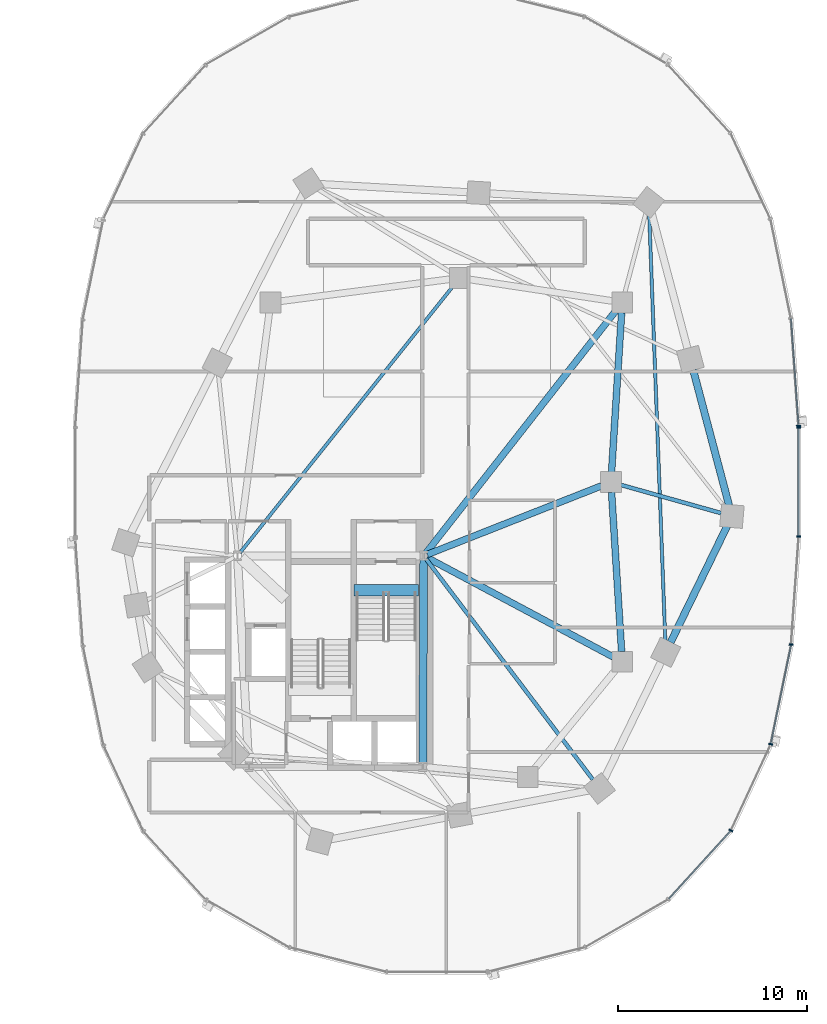
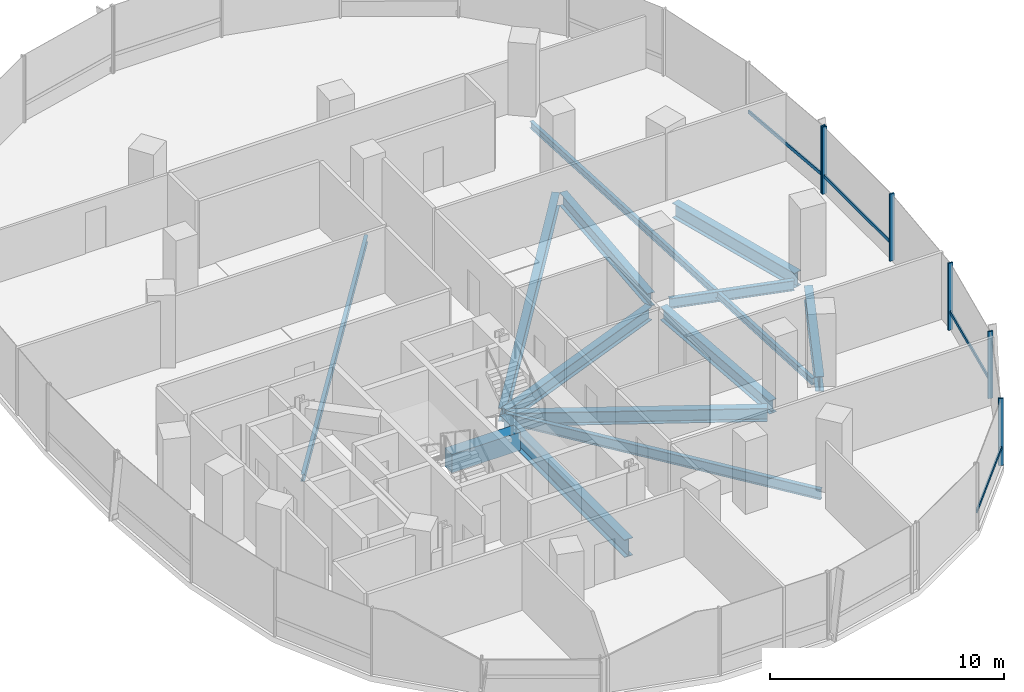
# One storey, part 6 of 21: 13 beams, 10 members, 2 elements without a shape of their own.
"""IFC4 building model written with IfcOpenShell, lengths in metres."""

from ifc_helpers import new_model, si_unit, direction, frame, origin, origin_2d, place, context, subcontext, project, spatial, rectangle, i_section, extrude, material, material_profile, profile_set, type_object, element, aggregate, save


model = new_model("IFC4")

# Units and contexts
model_context = context("Model", 3, precision=1e-05, world=origin(), true_north=direction((0.0, 1.0)))
body_context = subcontext(model_context, "Body", "Model", "MODEL_VIEW")
ifc_project = project(units=[si_unit("LENGTHUNIT", "METRE"), si_unit("AREAUNIT", "SQUARE_METRE"), si_unit("VOLUMEUNIT", "CUBIC_METRE"), si_unit("PLANEANGLEUNIT", "RADIAN"), si_unit("MASSUNIT", "GRAM", prefix="KILO"), si_unit("THERMODYNAMICTEMPERATUREUNIT", "KELVIN"), si_unit("POWERUNIT", "WATT")], contexts=[model_context])

# Site, building, storey
site_placement = place(None, origin())
site = spatial("IfcSite", under=ifc_project, at=site_placement, CompositionType="ELEMENT")
building_placement = place(site_placement, origin())
building = spatial("IfcBuilding", under=site, at=building_placement, Name="Cundina Bronze Exchange", CompositionType="ELEMENT")
storey_placement = place(building_placement, frame((0.0, 0.0, 58.199951171875)))
storey = spatial("IfcBuildingStorey", under=building, at=storey_placement, Name="L14", CompositionType="ELEMENT", Elevation=58.199951171875)

# Beams
ifc_material_1 = material(Name="Concrete C60/75", Category="concrete")
ifc_material_profile_1 = material_profile(ifc_material_1, rectangle(XDim=0.60009765625, YDim=0.949951171875, at=origin_2d()), Name="RC600X950", Category="concrete")
ifc_profile_set_1 = profile_set([ifc_material_profile_1], Name="Concrete C60/75")
beam_type_1 = type_object("IfcBeamType", Name="BM-COUP-RC950", PredefinedType="LINTEL", material=ifc_profile_set_1)
beam_1_placement = place(storey_placement, frame((27.6201171875, -5.719970703125, -0.474853515625), z_axis=(1.0, 0.0, 0.0), x_axis=(0.0, 1.0, 0.0)))
element("IfcBeam", 1, at=beam_1_placement, inside=storey, type_object=beam_type_1, Name="L14 Stair E1 Landing Header Beam", PredefinedType="LINTEL", context=body_context, shape_type="SweptSolid", body=[
    extrude(rectangle(XDim=0.60009765625, YDim=0.949951171875, at=origin_2d()), origin(), (0.0, 0.0, 1.0), 3.39990234375),
])
ifc_material_2 = material(Name="Steel ASTM A992 Grade 50", Category="steel")
ifc_material_profile_2 = material_profile(ifc_material_2, i_section(OverallWidth=0.2099609375, OverallDepth=0.532958984375, WebThickness=0.01025390625, FlangeThickness=0.015625, FilletRadius=0.013916015625, at=origin_2d()), Name="W21X62", Category="steel")
ifc_profile_set_2 = profile_set([ifc_material_profile_2], Name="Steel ASTM A992 Grade 50")
beam_type_2 = type_object("IfcBeamType", Name="BM-FLR-W21B", PredefinedType="BEAM", material=ifc_profile_set_2)
beam_2_placement = place(storey_placement, frame((31.423095703125, -4.062744140625, -0.56640625), z_axis=(0.603106461849, -0.797660702101, 0.0), x_axis=(0.797660702101, 0.603106461849, 0.0)))
element("IfcBeam", 2, at=beam_2_placement, inside=storey, type_object=beam_type_2, Name="L14 Leg E Chordal Floor Beam 06", PredefinedType="BEAM", context=body_context, shape_type="SweptSolid", body=[
    extrude(i_section(OverallWidth=0.2099609375, OverallDepth=0.532958984375, WebThickness=0.01025390625, FlangeThickness=0.015625, FilletRadius=0.013916015625, at=origin_2d()), origin(), (0.0, 0.0, 1.0), 14.6279296875),
])
beam_3_placement = place(storey_placement, frame((41.718017578125, -0.145751953125, -0.56640625), z_axis=(0.962650219971, -0.270748137554, 0.0), x_axis=(0.270748137554, 0.962650219971, 0.0)))
element("IfcBeam", 3, at=beam_3_placement, inside=storey, type_object=beam_type_2, Name="L14 Leg E Chordal Floor Beam 08", PredefinedType="BEAM", context=body_context, shape_type="SweptSolid", body=[
    extrude(i_section(OverallWidth=0.2099609375, OverallDepth=0.532958984375, WebThickness=0.01025390625, FlangeThickness=0.015625, FilletRadius=0.013916015625, at=origin_2d()), origin(), (0.0, 0.0, 1.0), 5.522216796875),
])
ifc_material_profile_3 = material_profile(ifc_material_2, i_section(OverallWidth=0.172119140625, OverallDepth=0.35791015625, WebThickness=0.0078125, FlangeThickness=0.01318359375, FilletRadius=0.010009765625, at=origin_2d()), Name="W14X38", Category="steel")
ifc_profile_set_3 = profile_set([ifc_material_profile_3], Name="Steel ASTM A992 Grade 50")
beam_type_3 = type_object("IfcBeamType", Name="BM-JST-W14", PredefinedType="JOIST", material=ifc_profile_set_3)
beam_4_placement = place(storey_placement, frame((21.577392578125, -3.740478515625, -0.47900390625), z_axis=(0.62436887964, 0.781129632095, 0.0), x_axis=(-0.781129632095, 0.62436887964, 0.0)))
element("IfcBeam", 4, at=beam_4_placement, inside=storey, type_object=beam_type_3, Name="L14 E Interior Core-to-Ring Joist 2", PredefinedType="JOIST", context=body_context, shape_type="SweptSolid", body=[
    extrude(i_section(OverallWidth=0.172119140625, OverallDepth=0.35791015625, WebThickness=0.0078125, FlangeThickness=0.01318359375, FilletRadius=0.010009765625, at=origin_2d()), origin(), (0.0, 0.0, 1.0), 18.076904296875),
])
beam_5_placement = place(storey_placement, frame((44.077880859375, -8.412353515625, -0.47900390625), z_axis=(-0.037794949147, 0.999285515666, 0.0), x_axis=(-0.999285515666, -0.037794949147, 0.0)))
element("IfcBeam", 5, at=beam_5_placement, inside=storey, type_object=beam_type_3, Name="L14 Leg E Lobe Floor Joist 07-10", PredefinedType="JOIST", context=body_context, shape_type="SweptSolid", body=[
    extrude(i_section(OverallWidth=0.172119140625, OverallDepth=0.35791015625, WebThickness=0.0078125, FlangeThickness=0.01318359375, FilletRadius=0.010009765625, at=origin_2d()), origin(), (0.0, 0.0, 1.0), 22.640869140625),
])
ifc_material_profile_4 = material_profile(ifc_material_2, i_section(OverallWidth=0.35498046875, OverallDepth=0.695068359375, WebThickness=0.015380859375, FlangeThickness=0.02490234375, FilletRadius=0.01806640625, at=origin_2d()), Name="W27X146", Category="steel")
ifc_profile_set_4 = profile_set([ifc_material_profile_4], Name="Steel ASTM A992 Grade 50")
beam_type_4 = type_object("IfcBeamType", Name="BM-RING-W27", PredefinedType="USERDEFINED", material=ifc_profile_set_4)
for number, where, z_axis, x_axis, name in (
    (6, (41.76611328125, -8.963134765625, -0.6474609375), (-0.06303715519, 0.998011180832, 0.0), (-0.998011180832, -0.06303715519, 0.0), "L14 E Inner Structural Ring Girder 03"),
    (7, (41.23388671875, 0.536865234375, -0.6474609375), (0.06303715519, 0.998011180832, 0.0), (-0.998011180832, 0.06303715519, 0.0), "L14 E Inner Structural Ring Girder 04"),
):
    element("IfcBeam", number, at=place(storey_placement, frame(where, z_axis=z_axis, x_axis=x_axis)), inside=storey, type_object=beam_type_4, Name=name, ObjectType="GIRDER", PredefinedType="USERDEFINED", context=body_context, shape_type="SweptSolid", body=[
        extrude(i_section(OverallWidth=0.35498046875, OverallDepth=0.695068359375, WebThickness=0.015380859375, FlangeThickness=0.02490234375, FilletRadius=0.01806640625, at=origin_2d()), origin(), (0.0, 0.0, 1.0), 8.443115234375),
    ])
beam_6_placement = place(storey_placement, frame((31.48974609375, -3.8251953125, -0.6474609375), z_axis=(0.930413235418, 0.366512225388, 0.0), x_axis=(-0.366512225388, 0.930413235418, 0.0)))
element("IfcBeam", 8, at=beam_6_placement, inside=storey, type_object=beam_type_4, Name="L14 E Core-to-Waist Tie Beam 1", ObjectType="GIRDER", PredefinedType="USERDEFINED", context=body_context, shape_type="SweptSolid", body=[
    extrude(i_section(OverallWidth=0.35498046875, OverallDepth=0.695068359375, WebThickness=0.015380859375, FlangeThickness=0.02490234375, FilletRadius=0.01806640625, at=origin_2d()), origin(), (0.0, 0.0, 1.0), 9.8984375),
])
beam_7_placement = place(storey_placement, frame((31.47998046875, -3.99609375, -0.6474609375), z_axis=(0.882354758239, -0.470584828286, 0.0), x_axis=(0.470584828286, 0.882354758239, 0.0)))
element("IfcBeam", 9, at=beam_7_placement, inside=storey, type_object=beam_type_4, Name="L14 E Core-to-Waist Tie Beam 2", ObjectType="GIRDER", PredefinedType="USERDEFINED", context=body_context, shape_type="SweptSolid", body=[
    extrude(i_section(OverallWidth=0.35498046875, OverallDepth=0.695068359375, WebThickness=0.015380859375, FlangeThickness=0.02490234375, FilletRadius=0.01806640625, at=origin_2d()), origin(), (0.0, 0.0, 1.0), 11.157958984375),
])
beam_8_placement = place(storey_placement, frame((31.42578125, -3.739501953125, -0.6474609375), z_axis=(0.616789275748, 0.787128318206, 0.0), x_axis=(-0.787128318206, 0.616789275748, 0.0)))
element("IfcBeam", 10, at=beam_8_placement, inside=storey, type_object=beam_type_4, Name="L14 E Core-to-Waist Tie Beam 3", ObjectType="GIRDER", PredefinedType="USERDEFINED", context=body_context, shape_type="SweptSolid", body=[
    extrude(i_section(OverallWidth=0.35498046875, OverallDepth=0.695068359375, WebThickness=0.015380859375, FlangeThickness=0.02490234375, FilletRadius=0.01806640625, at=origin_2d()), origin(), (0.0, 0.0, 1.0), 16.281982421875),
])
ifc_material_profile_5 = material_profile(ifc_material_2, i_section(OverallWidth=0.381103515625, OverallDepth=0.77294921875, WebThickness=0.0166015625, FlangeThickness=0.027099609375, FilletRadius=0.01904296875, at=origin_2d()), Name="W30X173", Category="steel")
ifc_profile_set_5 = profile_set([ifc_material_profile_5], Name="Steel ASTM A992 Grade 50")
beam_type_5 = type_object("IfcBeamType", Name="BM-RING-W30", PredefinedType="USERDEFINED", material=ifc_profile_set_5)
beam_9_placement = place(storey_placement, frame((44.357177734375, -8.47119140625, -0.6865234375), z_axis=(0.437190698904, 0.899368830231, 0.0), x_axis=(-0.899368830231, 0.437190698904, 0.0)))
element("IfcBeam", 11, at=beam_9_placement, inside=storey, type_object=beam_type_5, Name="L14 E Perimeter Ring Girder 07", ObjectType="GIRDER", PredefinedType="USERDEFINED", context=body_context, shape_type="SweptSolid", body=[
    extrude(i_section(OverallWidth=0.381103515625, OverallDepth=0.77294921875, WebThickness=0.0166015625, FlangeThickness=0.027099609375, FilletRadius=0.01904296875, at=origin_2d()), origin(), (0.0, 0.0, 1.0), 6.82958984375),
])
beam_10_placement = place(storey_placement, frame((47.44921875, -1.231689453125, -0.6865234375), z_axis=(-0.256177785604, 0.966629682021, 0.0), x_axis=(-0.966629682021, -0.256177785604, 0.0)))
element("IfcBeam", 12, at=beam_10_placement, inside=storey, type_object=beam_type_5, Name="L14 E Perimeter Ring Girder 08", ObjectType="GIRDER", PredefinedType="USERDEFINED", context=body_context, shape_type="SweptSolid", body=[
    extrude(i_section(OverallWidth=0.381103515625, OverallDepth=0.77294921875, WebThickness=0.0166015625, FlangeThickness=0.027099609375, FilletRadius=0.01904296875, at=origin_2d()), origin(), (0.0, 0.0, 1.0), 7.41064453125),
])
ifc_material_profile_6 = material_profile(ifc_material_2, i_section(OverallWidth=0.41796875, OverallDepth=0.927001953125, WebThickness=0.019287109375, FlangeThickness=0.031982421875, FilletRadius=0.02392578125, at=origin_2d()), Name="W36X231", Category="steel")
ifc_profile_set_6 = profile_set([ifc_material_profile_6], Name="Steel ASTM A992 Grade 50")
beam_type_6 = type_object("IfcBeamType", Name="BM-WRN-W36B", PredefinedType="USERDEFINED", material=ifc_profile_set_6)
beam_11_placement = place(storey_placement, frame((31.2509765625, -14.845947265625, -0.763427734375), z_axis=(0.004477329608, 0.99998997671, 0.0), x_axis=(-0.99998997671, 0.004477329608, 0.0)))
element("IfcBeam", 13, at=beam_11_placement, inside=storey, type_object=beam_type_6, Name="L14 E Core Perimeter Tie Girder 4", ObjectType="GIRDER", PredefinedType="USERDEFINED", context=body_context, shape_type="SweptSolid", body=[
    extrude(i_section(OverallWidth=0.41796875, OverallDepth=0.927001953125, WebThickness=0.019287109375, FlangeThickness=0.031982421875, FilletRadius=0.02392578125, at=origin_2d()), origin(), (0.0, 0.0, 1.0), 10.741943359375),
])

# Curtain wall, member
ifc_material_3 = material(Name="Anodised Bronze Aluminium 6063-T6", Category="aluminium")
curtain_wall_type = type_object("IfcCurtainWallType", Name="CWS-TRD-LOW", PredefinedType="NOTDEFINED", material=ifc_material_3)
curtain_wall_1_placement = place(storey_placement, origin())
curtain_wall_1 = element("IfcCurtainWall", 14, at=curtain_wall_1_placement, inside=storey, type_object=curtain_wall_type, Name="L14 CW-02 Curtain Wall Run CWR-L14-E1", PredefinedType="NOTDEFINED")
ifc_material_profile_7 = material_profile(ifc_material_3, rectangle(XDim=0.074951171875, YDim=0.219970703125, at=origin_2d()), Name="AL75X220", Category="aluminium")
ifc_profile_set_7 = profile_set([ifc_material_profile_7], Name="Anodised Bronze Aluminium 6063-T6")
member_type_1 = type_object("IfcMemberType", Name="CWM-MUL-220", PredefinedType="MULLION", material=ifc_profile_set_7)
member_1_placement = place(storey_placement, frame((51.12451171875, 2.976318359375, 0.0), z_axis=(0.0, 0.0, 1.0), x_axis=(-0.070278787473, 0.997527389113, 0.0)))
member_1 = element("IfcMember", 15, at=member_1_placement, type_object=member_type_1, Name="CW-02 Mullion 1", PredefinedType="MULLION", context=body_context, shape_type="SweptSolid", body=[
    extrude(rectangle(XDim=0.074951171875, YDim=0.219970703125, at=origin_2d()), origin(), (0.0, 0.0, 1.0), 3.5),
])

# Curtain wall, members
curtain_wall_2_placement = place(storey_placement, origin())
curtain_wall_2 = element("IfcCurtainWall", 16, at=curtain_wall_2_placement, inside=storey, type_object=curtain_wall_type, Name="L14 CW-02 Curtain Wall Run CWR-L14-E4", PredefinedType="NOTDEFINED")
member_2_placement = place(storey_placement, frame((47.544189453125, -18.423583984375, 0.0), z_axis=(0.0, 0.0, 1.0), x_axis=(0.42087749791, 0.907117485088, 0.0)))
member_2 = element("IfcMember", 17, at=member_2_placement, type_object=member_type_1, Name="CW-02 Mullion 4", PredefinedType="MULLION", context=body_context, shape_type="SweptSolid", body=[
    extrude(rectangle(XDim=0.074951171875, YDim=0.219970703125, at=origin_2d()), origin(), (0.0, 0.0, 1.0), 3.5),
])
member_3_placement = place(storey_placement, frame((49.651123046875, -13.861328125, 0.0), z_axis=(0.0, 0.0, 1.0), x_axis=(0.201419845156, 0.979505000486, 0.0)))
member_3 = element("IfcMember", 18, at=member_3_placement, type_object=member_type_1, Name="CW-02 Mullion 5", PredefinedType="MULLION", context=body_context, shape_type="SweptSolid", body=[
    extrude(rectangle(XDim=0.074951171875, YDim=0.219970703125, at=origin_2d()), origin(), (0.0, 0.0, 1.0), 3.5),
])
member_4_placement = place(storey_placement, frame((50.72900390625, -8.591552734375, 0.0), z_axis=(0.0, 0.0, 1.0), x_axis=(0.070278787473, 0.997527389113, 0.0)))
member_4 = element("IfcMember", 19, at=member_4_placement, type_object=member_type_1, Name="CW-02 Mullion 6", PredefinedType="MULLION", context=body_context, shape_type="SweptSolid", body=[
    extrude(rectangle(XDim=0.074951171875, YDim=0.219970703125, at=origin_2d()), origin(), (0.0, 0.0, 1.0), 3.5),
])
member_5_placement = place(storey_placement, frame((51.1279296875, -2.880615234375, 0.0), z_axis=(0.0, 0.0, 1.0), x_axis=(0.0, 1.0, 0.0)))
member_5 = element("IfcMember", 20, at=member_5_placement, type_object=member_type_1, Name="CW-02 Mullion 7", PredefinedType="MULLION", context=body_context, shape_type="SweptSolid", body=[
    extrude(rectangle(XDim=0.074951171875, YDim=0.219970703125, at=origin_2d()), origin(), (0.0, 0.0, 1.0), 3.5),
])
member_6_placement = place(storey_placement, frame((51.1279296875, 2.880615234375, 0.0), z_axis=(0.0, 0.0, 1.0), x_axis=(0.0, 1.0, 0.0)))
member_6 = element("IfcMember", 21, at=member_6_placement, type_object=member_type_1, Name="CW-02 End Mullion", PredefinedType="MULLION", context=body_context, shape_type="SweptSolid", body=[
    extrude(rectangle(XDim=0.074951171875, YDim=0.219970703125, at=origin_2d()), origin(), (0.0, 0.0, 1.0), 3.5),
])

# Member
ifc_material_profile_8 = material_profile(ifc_material_3, rectangle(XDim=0.070068359375, YDim=0.179931640625, at=origin_2d()), Name="AL70X180", Category="aluminium")
ifc_profile_set_8 = profile_set([ifc_material_profile_8], Name="Anodised Bronze Aluminium 6063-T6")
member_type_2 = type_object("IfcMemberType", Name="CWM-TRN-180", PredefinedType="USERDEFINED", material=ifc_profile_set_8)
member_7_placement = place(storey_placement, frame((51.12158203125, 3.017333984375, 0.920166015625), z_axis=(-0.070260714471, 0.997528662246, 0.0), x_axis=(-0.997528662246, -0.070260714471, 0.0)))
member_7 = element("IfcMember", 22, at=member_7_placement, type_object=member_type_2, Name="CW-02 Spandrel Transom 1", ObjectType="TRANSOM", PredefinedType="USERDEFINED", context=body_context, shape_type="SweptSolid", body=[
    extrude(rectangle(XDim=0.070068359375, YDim=0.179931640625, at=origin_2d()), origin(), (0.0, 0.0, 1.0), 5.629150390625),
])

aggregate(curtain_wall_1, [member_1, member_7])

member_8_placement = place(storey_placement, frame((44.26708984375, -22.027099609375, 0.920166015625), z_axis=(0.674302794847, 0.738454968743, 0.0), x_axis=(-0.738454968743, 0.674302794847, 0.0)))
member_8 = element("IfcMember", 23, at=member_8_placement, type_object=member_type_2, Name="CW-02 Spandrel Transom 3", ObjectType="TRANSOM", PredefinedType="USERDEFINED", context=body_context, shape_type="SweptSolid", body=[
    extrude(rectangle(XDim=0.070068359375, YDim=0.179931640625, at=origin_2d()), origin(), (0.0, 0.0, 1.0), 4.848388671875),
])

member_9_placement = place(storey_placement, frame((49.659423828125, -13.821044921875, 0.920166015625), z_axis=(0.201427712708, 0.979503382615, 0.0), x_axis=(-0.979503382615, 0.201427712708, 0.0)))
member_9 = element("IfcMember", 24, at=member_9_placement, type_object=member_type_2, Name="CW-02 Spandrel Transom 5", ObjectType="TRANSOM", PredefinedType="USERDEFINED", context=body_context, shape_type="SweptSolid", body=[
    extrude(rectangle(XDim=0.070068359375, YDim=0.179931640625, at=origin_2d()), origin(), (0.0, 0.0, 1.0), 5.291748046875),
])

member_10_placement = place(storey_placement, frame((51.1279296875, -2.839111328125, 0.920166015625), z_axis=(0.0, 1.0, 0.0), x_axis=(-1.0, 0.0, 0.0)))
member_10 = element("IfcMember", 25, at=member_10_placement, type_object=member_type_2, Name="CW-02 Spandrel Transom 7", ObjectType="TRANSOM", PredefinedType="USERDEFINED", context=body_context, shape_type="SweptSolid", body=[
    extrude(rectangle(XDim=0.070068359375, YDim=0.179931640625, at=origin_2d()), origin(), (0.0, 0.0, 1.0), 5.67822265625),
])

aggregate(curtain_wall_2, [member_8, member_2, member_3, member_9, member_4, member_5, member_6, member_10])

save(model, "model.ifc")
